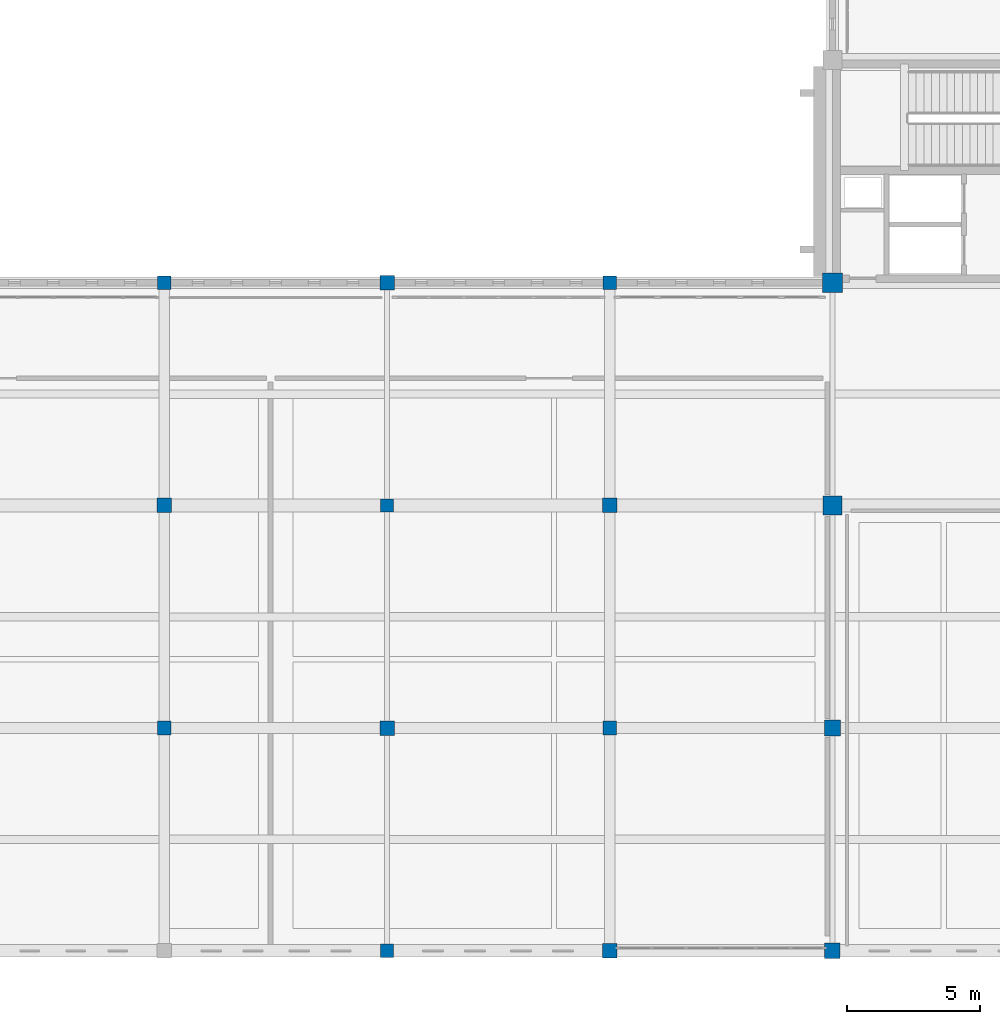
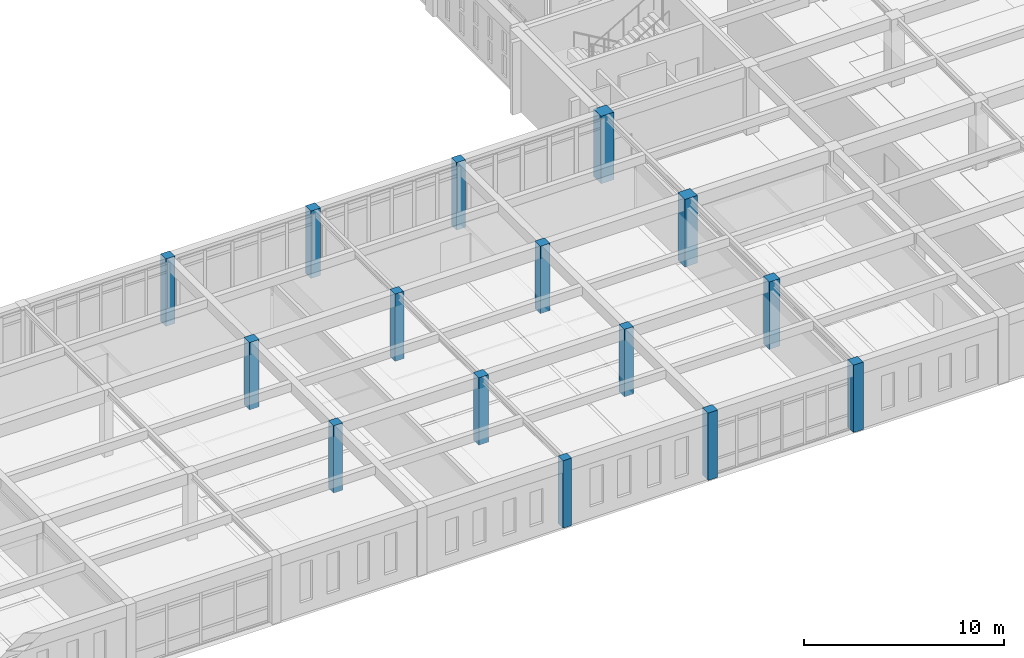
# One storey, part 6 of 192: 15 columns.
"""IFC4 building model written with IfcOpenShell, lengths in metres."""

import ifcopenshell
import ifcopenshell.guid

model = None  # the IFC model being written
_history = None  # IfcOwnerHistory: only IFC2X3 demands one
_inside = {}  # id of a spatial element -> (the spatial element, [elements in it])
_under = {}  # id of a project, library or spatial element -> (it, [spatial elements below it])
_declared = {}  # id of a project -> (the project, [libraries it declares])
_typed = {}  # id of a type object -> (the type object, [elements of that type])
_made_of = {}  # id of a material, layer set ... -> (it, [elements and type objects made of it])


def new_model(schema):
    """Start an empty IFC model of exactly this schema.

    Asked for "IFC4X3", IfcOpenShell would pick the latest addendum, in which some entities
    have other attributes; the version numbers below select the first issue.
    IFC2X3 requires an IfcOwnerHistory on every rooted entity: one is made here for all.
    """
    global model, _history
    if schema == "IFC4X3":
        model = ifcopenshell.file(schema_version=(4, 3, 0, 0))
    else:
        model = ifcopenshell.file(schema=schema)
    _inside.clear()
    _under.clear()
    _declared.clear()
    _typed.clear()
    _made_of.clear()
    _history = None
    if model.schema == "IFC2X3":
        org = make("IfcOrganization", Name="unknown")
        user = make(
            "IfcPersonAndOrganization",
            ThePerson=make("IfcPerson", FamilyName="unknown"),
            TheOrganization=org,
        )
        app = make(
            "IfcApplication",
            ApplicationDeveloper=org,
            Version="unknown",
            ApplicationFullName="unknown",
            ApplicationIdentifier="unknown",
        )
        _history = make(
            "IfcOwnerHistory",
            OwningUser=user,
            OwningApplication=app,
            ChangeAction="ADDED",
            CreationDate=0,
        )
    return model


def make(cls, **values):
    """One entity of the class cls with the attributes given. An attribute that is None is left unset."""
    return model.create_entity(
        cls, **{name: value for name, value in values.items() if value is not None}
    )


def rooted(cls, **values):
    """An entity with a GlobalId (a new one), such as an element, a storey or a relation."""
    return make(cls, GlobalId=ifcopenshell.guid.new(), OwnerHistory=_history, **values)


def si_unit(unit_type, name, prefix=None):
    """IfcSIUnit, for example si_unit("LENGTHUNIT", "METRE", prefix="MILLI")."""
    return make("IfcSIUnit", UnitType=unit_type, Prefix=prefix, Name=name)


def assignment(units):
    """IfcUnitAssignment: the units of a project."""
    return None if units is None else make("IfcUnitAssignment", Units=units)


def point(xyz):
    """IfcCartesianPoint."""
    return None if xyz is None else make("IfcCartesianPoint", Coordinates=xyz)


def direction(xyz):
    """IfcDirection."""
    return None if xyz is None else make("IfcDirection", DirectionRatios=xyz)


def frame(location, z_axis=None, x_axis=None):
    """IfcAxis2Placement3D, a coordinate frame: its origin and axes. An axis left out is left unset."""
    return make(
        "IfcAxis2Placement3D",
        Location=point(location),
        Axis=direction(z_axis),
        RefDirection=direction(x_axis),
    )


def frame_2d(location, x_axis=None):
    """IfcAxis2Placement2D, a coordinate frame in the plane: its origin and x axis."""
    return make(
        "IfcAxis2Placement2D", Location=point(location), RefDirection=direction(x_axis)
    )


def origin():
    """The frame at (0, 0, 0) with its axes left unset."""
    return frame((0.0, 0.0, 0.0))


def origin_2d():
    """The frame at (0, 0) in the plane with its x axis left unset."""
    return frame_2d((0.0, 0.0))


def place(relative_to, where):
    """IfcLocalPlacement: puts the frame where relative to a parent placement (None: the world)."""
    return make(
        "IfcLocalPlacement", PlacementRelTo=relative_to, RelativePlacement=where
    )


def context(
    kind, dimensions, precision=None, world=None, true_north=None, identifier=None
):
    """IfcGeometricRepresentationContext, for example the 3D "Model" context."""
    return make(
        "IfcGeometricRepresentationContext",
        ContextIdentifier=identifier,
        ContextType=kind,
        CoordinateSpaceDimension=dimensions,
        Precision=precision,
        WorldCoordinateSystem=world,
        TrueNorth=true_north,
    )


def subcontext(parent, identifier, kind, view, scale=None):
    """IfcGeometricRepresentationSubContext, for example "Body" below "Model"."""
    return make(
        "IfcGeometricRepresentationSubContext",
        ContextIdentifier=identifier,
        ContextType=kind,
        ParentContext=parent,
        TargetScale=scale,
        TargetView=view,
    )


def project(units=None, contexts=None):
    """IfcProject with its units and contexts."""
    return rooted(
        "IfcProject",
        Name="project",
        RepresentationContexts=contexts,
        UnitsInContext=assignment(units),
    )


def spatial(cls, under=None, at=None, **own):
    """A site, building, storey or space (cls), placed at a placement, below another one or the project."""
    s = rooted(cls, ObjectPlacement=at, **own)
    if under is not None:
        _under.setdefault(under.id(), (under, []))[1].append(s)
    return s


def profile(cls, at=None, kind="AREA", **sizes):
    """A parametric profile (cls). Its sizes go by their IFC names, for example OverallWidth=200.0."""
    return make(cls, ProfileType=kind, Position=at, **sizes)


def rectangle(**sizes):
    """IfcRectangleProfileDef."""
    return profile("IfcRectangleProfileDef", **sizes)


def extrude(swept, where, along, depth):
    """IfcExtrudedAreaSolid: the profile swept, set in the frame where, extruded along a direction by depth."""
    return make(
        "IfcExtrudedAreaSolid",
        SweptArea=swept,
        Position=where,
        ExtrudedDirection=direction(along),
        Depth=depth,
    )


def shape(context_of_items, identifier, shape_type, items):
    """IfcShapeRepresentation: the items that make up one representation, for example the "Body"."""
    return make(
        "IfcShapeRepresentation",
        ContextOfItems=context_of_items,
        RepresentationIdentifier=identifier,
        RepresentationType=shape_type,
        Items=items,
    )


def material(Name=None, Category=None):
    """IfcMaterial."""
    return make("IfcMaterial", Name=Name, Category=Category)


def material_profile(
    of_material, cross_section, Name=None, Category=None, Priority=None
):
    """IfcMaterialProfile: a cross section and its material."""
    return make(
        "IfcMaterialProfile",
        Name=Name,
        Material=of_material,
        Profile=cross_section,
        Priority=Priority,
        Category=Category,
    )


def profile_set(profiles, Name=None, composite=None):
    """IfcMaterialProfileSet."""
    return make(
        "IfcMaterialProfileSet",
        Name=Name,
        MaterialProfiles=profiles,
        CompositeProfile=composite,
    )


def made_of(thing, what):
    """Note that an element or type object is made of a material, layer set ...; save() writes the relation."""
    if what is not None:
        _made_of.setdefault(what.id(), (what, []))[1].append(thing)
    return thing


def type_object(cls, material=None, **own):
    """A type object (cls), such as IfcWallType, which elements share."""
    return made_of(rooted(cls, **own), material)


def element(
    cls,
    number,
    at=None,
    inside=None,
    cuts=None,
    type_object=None,
    material=None,
    context=None,
    identifier="Body",
    shape_type=None,
    held_by="IfcProductDefinitionShape",
    body=None,
    shapes=None,
    **own,
):
    """One element of the class cls, such as IfcWall. Its Tag is "e" and its number.

    at: its placement. inside: the storey or other place that contains it. cuts: it is an
    opening in that element (IfcRelVoidsElement). A single representation is given by context,
    identifier, shape_type and body (its items); several are given by shapes. held_by: the class
    of the entity that holds the representations. save() writes the other relations.
    """
    e = rooted(cls, Tag="e%d" % number, ObjectPlacement=at, **own)
    if body is not None:
        shapes = [shape(context, identifier, shape_type, body)]
    if shapes is not None:
        e.Representation = make(held_by, Representations=shapes)
    if inside is not None:
        _inside.setdefault(inside.id(), (inside, []))[1].append(e)
    if cuts is not None:
        rooted(
            "IfcRelVoidsElement", RelatingBuildingElement=cuts, RelatedOpeningElement=e
        )
    if type_object is not None:
        _typed.setdefault(type_object.id(), (type_object, []))[1].append(e)
    return made_of(e, material)


def aggregate(whole, parts):
    """IfcRelAggregates: a whole, such as a stair, and the parts it consists of."""
    return rooted("IfcRelAggregates", RelatingObject=whole, RelatedObjects=parts)


def save(model, path):
    """Write the relations noted so far, then the file.

    IfcRelAggregates (storeys below a building ...), IfcRelContainedInSpatialStructure (elements
    in a storey), IfcRelDefinesByType, IfcRelAssociatesMaterial and IfcRelDeclares: one each for
    every whole, place, type object, material and project.
    """
    for whole, parts in _under.values():
        aggregate(whole, parts)
    for where, things in _inside.values():
        rooted(
            "IfcRelContainedInSpatialStructure",
            RelatedElements=things,
            RelatingStructure=where,
        )
    for kind, things in _typed.values():
        rooted("IfcRelDefinesByType", RelatedObjects=things, RelatingType=kind)
    for what, things in _made_of.values():
        rooted("IfcRelAssociatesMaterial", RelatedObjects=things, RelatingMaterial=what)
    for by, libraries in _declared.values():
        rooted("IfcRelDeclares", RelatingContext=by, RelatedDefinitions=libraries)
    model.write(path)


model = new_model("IFC4")

# Units and contexts
model_context = context("Model", 3, precision=1e-05, world=origin(), true_north=direction((0.0, 1.0)))
body_context = subcontext(model_context, "Body", "Model", "MODEL_VIEW")
ifc_project = project(units=[si_unit("LENGTHUNIT", "METRE"), si_unit("AREAUNIT", "SQUARE_METRE"), si_unit("VOLUMEUNIT", "CUBIC_METRE"), si_unit("PLANEANGLEUNIT", "RADIAN"), si_unit("MASSUNIT", "GRAM", prefix="KILO")], contexts=[model_context])

# Site, building, storey
site_placement = place(None, origin())
site = spatial("IfcSite", under=ifc_project, at=site_placement, CompositionType="ELEMENT")
building_placement = place(site_placement, origin())
building = spatial("IfcBuilding", under=site, at=building_placement, Name="Kveldsbrygga Polytechnic", CompositionType="ELEMENT")
storey_placement = place(building_placement, frame((0.0, 0.0, 5.43994140625)))
storey = spatial("IfcBuildingStorey", under=building, at=storey_placement, Name="L01", CompositionType="ELEMENT", Elevation=5.43994140625)

# Columns
ifc_material = material(Name="Concrete C45/55", Category="concrete")
ifc_material_profile_1 = material_profile(ifc_material, rectangle(XDim=0.5, YDim=0.5, at=origin_2d()), Name="RC 500x500")
ifc_profile_set_1 = profile_set([ifc_material_profile_1], Name="Concrete C45/55")
column_type_1 = type_object("IfcColumnType", Name="COL-RC-500", PredefinedType="COLUMN", material=ifc_profile_set_1)
for number, where, z_axis, x_axis, name in (
    (1, (109.199951171875, 0.0, 0.0), (0.0, 0.0, 1.0), (1.0, 0.0, 0.0), "Column COL-L01-13-00"),
    (2, (109.199951171875, 16.800048828125, 0.0), (0.0, 0.0, 1.0), (1.0, 0.0, 0.0), "Column COL-L01-13-02"),
):
    element("IfcColumn", number, at=place(storey_placement, frame(where, z_axis=z_axis, x_axis=x_axis)), inside=storey, type_object=column_type_1, Name=name, PredefinedType="COLUMN", context=body_context, shape_type="SweptSolid", body=[
        extrude(rectangle(XDim=0.5, YDim=0.5, at=origin_2d()), origin(), (0.0, 0.0, 1.0), 4.1201171875),
    ])
ifc_material_profile_2 = material_profile(ifc_material, rectangle(XDim=0.52001953125, YDim=0.52001953125, at=origin_2d()), Name="RC 520x520")
ifc_profile_set_2 = profile_set([ifc_material_profile_2], Name="Concrete C45/55")
column_type_2 = type_object("IfcColumnType", Name="COL-RC-520", PredefinedType="COLUMN", material=ifc_profile_set_2)
for number, where, z_axis, x_axis, name in (
    (3, (100.800048828125, 8.39990234375, 0.0), (0.0, 0.0, 1.0), (1.0, 0.0, 0.0), "Column COL-L01-12-01"),
    (4, (100.800048828125, 25.199951171875, 0.0), (0.0, 0.0, 1.0), (1.0, 0.0, 0.0), "Column COL-L01-12-03"),
    (5, (117.60009765625, 8.39990234375, 0.0), (0.0, 0.0, 1.0), (1.0, 0.0, 0.0), "Column COL-L01-14-01"),
    (6, (117.60009765625, 25.199951171875, 0.0), (0.0, 0.0, 1.0), (1.0, 0.0, 0.0), "Column COL-L01-14-03"),
):
    element("IfcColumn", number, at=place(storey_placement, frame(where, z_axis=z_axis, x_axis=x_axis)), inside=storey, type_object=column_type_2, Name=name, PredefinedType="COLUMN", context=body_context, shape_type="SweptSolid", body=[
        extrude(rectangle(XDim=0.52001953125, YDim=0.52001953125, at=origin_2d()), origin(), (0.0, 0.0, 1.0), 4.1201171875),
    ])
ifc_material_profile_3 = material_profile(ifc_material, rectangle(XDim=0.550048828125, YDim=0.550048828125, at=origin_2d()), Name="RC 550x550")
ifc_profile_set_3 = profile_set([ifc_material_profile_3], Name="Concrete C45/55")
column_type_3 = type_object("IfcColumnType", Name="COL-RC-550", PredefinedType="COLUMN", material=ifc_profile_set_3)
for number, where, z_axis, x_axis, name in (
    (7, (100.800048828125, 16.800048828125, 0.0), (0.0, 0.0, 1.0), (1.0, 0.0, 0.0), "Column COL-L01-12-02"),
    (8, (109.199951171875, 8.39990234375, 0.0), (0.0, 0.0, 1.0), (1.0, 0.0, 0.0), "Column COL-L01-13-01"),
    (9, (109.199951171875, 25.199951171875, 0.0), (0.0, 0.0, 1.0), (1.0, 0.0, 0.0), "Column COL-L01-13-03"),
    (10, (117.60009765625, 0.0, 0.0), (0.0, 0.0, 1.0), (1.0, 0.0, 0.0), "Column COL-L01-14-00"),
    (11, (117.60009765625, 16.800048828125, 0.0), (0.0, 0.0, 1.0), (1.0, 0.0, 0.0), "Column COL-L01-14-02"),
):
    element("IfcColumn", number, at=place(storey_placement, frame(where, z_axis=z_axis, x_axis=x_axis)), inside=storey, type_object=column_type_3, Name=name, PredefinedType="COLUMN", context=body_context, shape_type="SweptSolid", body=[
        extrude(rectangle(XDim=0.550048828125, YDim=0.550048828125, at=origin_2d()), origin(), (0.0, 0.0, 1.0), 4.1201171875),
    ])
ifc_material_profile_4 = material_profile(ifc_material, rectangle(XDim=0.580078125, YDim=0.580078125, at=origin_2d()), Name="RC 580x580")
ifc_profile_set_4 = profile_set([ifc_material_profile_4], Name="Concrete C45/55")
column_type_4 = type_object("IfcColumnType", Name="COL-RC-580", PredefinedType="COLUMN", material=ifc_profile_set_4)
column_1_placement = place(storey_placement, frame((126.0, 0.0, 0.0), z_axis=(0.0, 0.0, 1.0), x_axis=(1.0, 0.0, 0.0)))
element("IfcColumn", 12, at=column_1_placement, inside=storey, type_object=column_type_4, Name="Column COL-L01-15-00", PredefinedType="COLUMN", context=body_context, shape_type="SweptSolid", body=[
    extrude(rectangle(XDim=0.580078125, YDim=0.580078125, at=origin_2d()), origin(), (0.0, 0.0, 1.0), 4.1201171875),
])
ifc_material_profile_5 = material_profile(ifc_material, rectangle(XDim=0.60009765625, YDim=0.60009765625, at=origin_2d()), Name="RC 600x600")
ifc_profile_set_5 = profile_set([ifc_material_profile_5], Name="Concrete C45/55")
column_type_5 = type_object("IfcColumnType", Name="COL-RC-600", PredefinedType="COLUMN", material=ifc_profile_set_5)
column_2_placement = place(storey_placement, frame((126.0, 8.39990234375, 0.0), z_axis=(0.0, 0.0, 1.0), x_axis=(1.0, 0.0, 0.0)))
element("IfcColumn", 13, at=column_2_placement, inside=storey, type_object=column_type_5, Name="Column COL-L01-15-01", PredefinedType="COLUMN", context=body_context, shape_type="SweptSolid", body=[
    extrude(rectangle(XDim=0.60009765625, YDim=0.60009765625, at=origin_2d()), origin(), (0.0, 0.0, 1.0), 4.1201171875),
])
ifc_material_profile_6 = material_profile(ifc_material, rectangle(XDim=0.719970703125, YDim=0.719970703125, at=origin_2d()), Name="RC 720x720")
ifc_profile_set_6 = profile_set([ifc_material_profile_6], Name="Concrete C45/55")
column_type_6 = type_object("IfcColumnType", Name="COL-RC-720", PredefinedType="COLUMN", material=ifc_profile_set_6)
column_3_placement = place(storey_placement, frame((126.0, 16.800048828125, 0.0), z_axis=(0.0, 0.0, 1.0), x_axis=(1.0, 0.0, 0.0)))
element("IfcColumn", 14, at=column_3_placement, inside=storey, type_object=column_type_6, Name="Column COL-L01-15-02", PredefinedType="COLUMN", context=body_context, shape_type="SweptSolid", body=[
    extrude(rectangle(XDim=0.719970703125, YDim=0.719970703125, at=origin_2d()), origin(), (0.0, 0.0, 1.0), 4.1201171875),
])
ifc_material_profile_7 = material_profile(ifc_material, rectangle(XDim=0.75, YDim=0.75, at=origin_2d()), Name="RC 750x750")
ifc_profile_set_7 = profile_set([ifc_material_profile_7], Name="Concrete C45/55")
column_type_7 = type_object("IfcColumnType", Name="COL-RC-750", PredefinedType="COLUMN", material=ifc_profile_set_7)
column_4_placement = place(storey_placement, frame((126.0, 25.199951171875, 0.0), z_axis=(0.0, 0.0, 1.0), x_axis=(1.0, 0.0, 0.0)))
element("IfcColumn", 15, at=column_4_placement, inside=storey, type_object=column_type_7, Name="Column COL-L01-15-03", PredefinedType="COLUMN", context=body_context, shape_type="SweptSolid", body=[
    extrude(rectangle(XDim=0.75, YDim=0.75, at=origin_2d()), origin(), (0.0, 0.0, 1.0), 4.1201171875),
])

save(model, "model.ifc")
